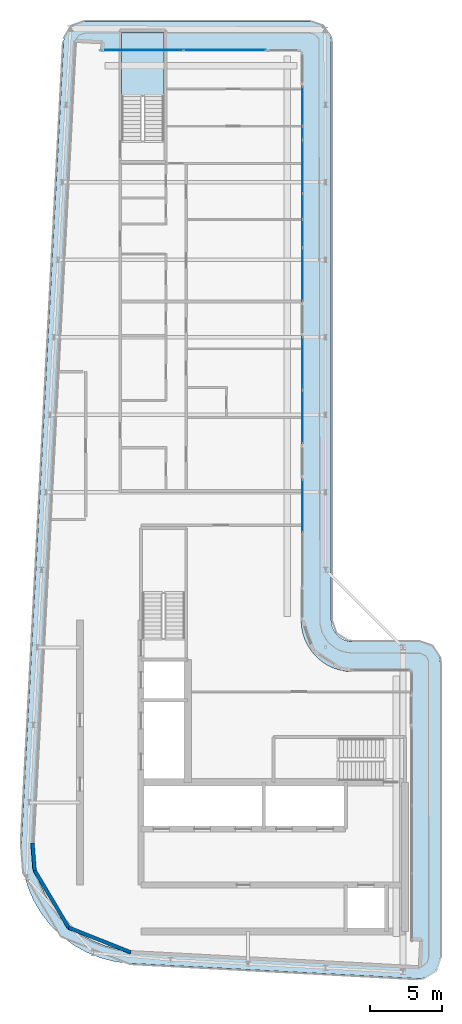
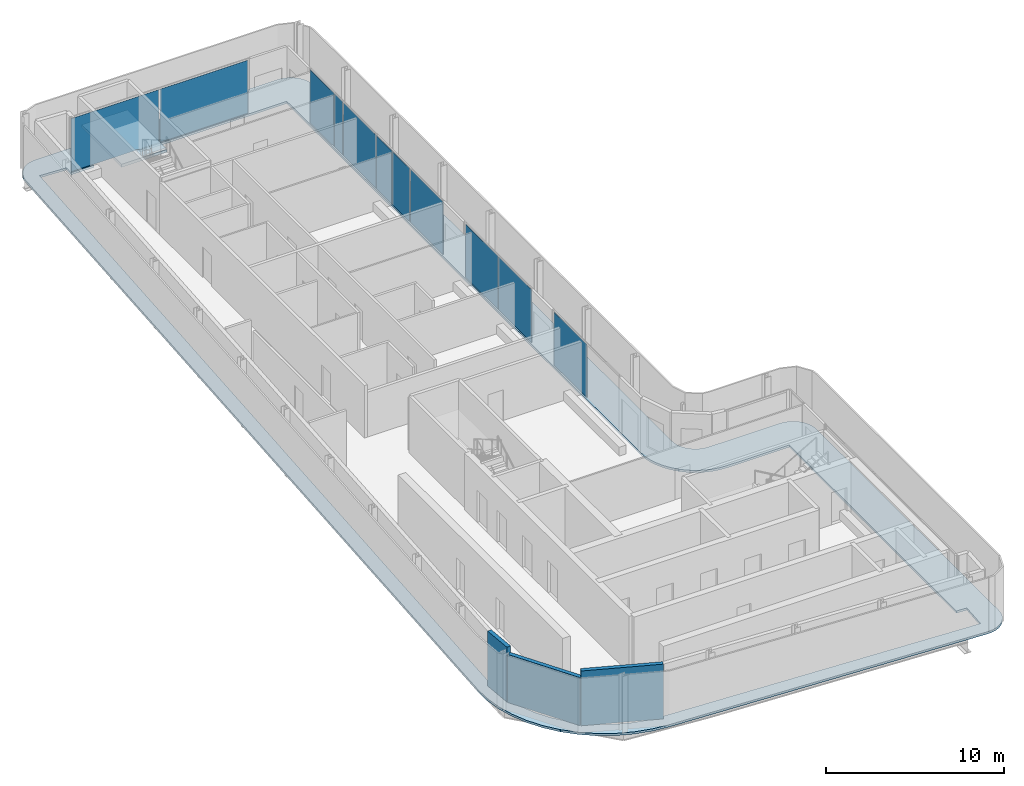
# One storey, part 8 of 17: 11 plates, 3 walls, 2 slabs, 6 elements without a shape of their own.
"""IFC4 building model written with IfcOpenShell, lengths in metres."""

import ifcopenshell
import ifcopenshell.guid

model = None  # the IFC model being written
_history = None  # IfcOwnerHistory: only IFC2X3 demands one
_inside = {}  # id of a spatial element -> (the spatial element, [elements in it])
_under = {}  # id of a project, library or spatial element -> (it, [spatial elements below it])
_declared = {}  # id of a project -> (the project, [libraries it declares])
_typed = {}  # id of a type object -> (the type object, [elements of that type])
_made_of = {}  # id of a material, layer set ... -> (it, [elements and type objects made of it])


def new_model(schema):
    """Start an empty IFC model of exactly this schema.

    Asked for "IFC4X3", IfcOpenShell would pick the latest addendum, in which some entities
    have other attributes; the version numbers below select the first issue.
    IFC2X3 requires an IfcOwnerHistory on every rooted entity: one is made here for all.
    """
    global model, _history
    if schema == "IFC4X3":
        model = ifcopenshell.file(schema_version=(4, 3, 0, 0))
    else:
        model = ifcopenshell.file(schema=schema)
    _inside.clear()
    _under.clear()
    _declared.clear()
    _typed.clear()
    _made_of.clear()
    _history = None
    if model.schema == "IFC2X3":
        org = make("IfcOrganization", Name="unknown")
        user = make(
            "IfcPersonAndOrganization",
            ThePerson=make("IfcPerson", FamilyName="unknown"),
            TheOrganization=org,
        )
        app = make(
            "IfcApplication",
            ApplicationDeveloper=org,
            Version="unknown",
            ApplicationFullName="unknown",
            ApplicationIdentifier="unknown",
        )
        _history = make(
            "IfcOwnerHistory",
            OwningUser=user,
            OwningApplication=app,
            ChangeAction="ADDED",
            CreationDate=0,
        )
    return model


def make(cls, **values):
    """One entity of the class cls with the attributes given. An attribute that is None is left unset."""
    return model.create_entity(
        cls, **{name: value for name, value in values.items() if value is not None}
    )


def rooted(cls, **values):
    """An entity with a GlobalId (a new one), such as an element, a storey or a relation."""
    return make(cls, GlobalId=ifcopenshell.guid.new(), OwnerHistory=_history, **values)


def si_unit(unit_type, name, prefix=None):
    """IfcSIUnit, for example si_unit("LENGTHUNIT", "METRE", prefix="MILLI")."""
    return make("IfcSIUnit", UnitType=unit_type, Prefix=prefix, Name=name)


def assignment(units):
    """IfcUnitAssignment: the units of a project."""
    return None if units is None else make("IfcUnitAssignment", Units=units)


def point(xyz):
    """IfcCartesianPoint."""
    return None if xyz is None else make("IfcCartesianPoint", Coordinates=xyz)


def direction(xyz):
    """IfcDirection."""
    return None if xyz is None else make("IfcDirection", DirectionRatios=xyz)


def frame(location, z_axis=None, x_axis=None):
    """IfcAxis2Placement3D, a coordinate frame: its origin and axes. An axis left out is left unset."""
    return make(
        "IfcAxis2Placement3D",
        Location=point(location),
        Axis=direction(z_axis),
        RefDirection=direction(x_axis),
    )


def frame_2d(location, x_axis=None):
    """IfcAxis2Placement2D, a coordinate frame in the plane: its origin and x axis."""
    return make(
        "IfcAxis2Placement2D", Location=point(location), RefDirection=direction(x_axis)
    )


def origin():
    """The frame at (0, 0, 0) with its axes left unset."""
    return frame((0.0, 0.0, 0.0))


def origin_2d():
    """The frame at (0, 0) in the plane with its x axis left unset."""
    return frame_2d((0.0, 0.0))


def place(relative_to, where):
    """IfcLocalPlacement: puts the frame where relative to a parent placement (None: the world)."""
    return make(
        "IfcLocalPlacement", PlacementRelTo=relative_to, RelativePlacement=where
    )


def context(
    kind, dimensions, precision=None, world=None, true_north=None, identifier=None
):
    """IfcGeometricRepresentationContext, for example the 3D "Model" context."""
    return make(
        "IfcGeometricRepresentationContext",
        ContextIdentifier=identifier,
        ContextType=kind,
        CoordinateSpaceDimension=dimensions,
        Precision=precision,
        WorldCoordinateSystem=world,
        TrueNorth=true_north,
    )


def subcontext(parent, identifier, kind, view, scale=None):
    """IfcGeometricRepresentationSubContext, for example "Body" below "Model"."""
    return make(
        "IfcGeometricRepresentationSubContext",
        ContextIdentifier=identifier,
        ContextType=kind,
        ParentContext=parent,
        TargetScale=scale,
        TargetView=view,
    )


def project(units=None, contexts=None):
    """IfcProject with its units and contexts."""
    return rooted(
        "IfcProject",
        Name="project",
        RepresentationContexts=contexts,
        UnitsInContext=assignment(units),
    )


def spatial(cls, under=None, at=None, **own):
    """A site, building, storey or space (cls), placed at a placement, below another one or the project."""
    s = rooted(cls, ObjectPlacement=at, **own)
    if under is not None:
        _under.setdefault(under.id(), (under, []))[1].append(s)
    return s


def polyline(points):
    """IfcPolyline through the points."""
    return make("IfcPolyline", Points=[point(p) for p in points])


def profile(cls, at=None, kind="AREA", **sizes):
    """A parametric profile (cls). Its sizes go by their IFC names, for example OverallWidth=200.0."""
    return make(cls, ProfileType=kind, Position=at, **sizes)


def rectangle(**sizes):
    """IfcRectangleProfileDef."""
    return profile("IfcRectangleProfileDef", **sizes)


def outline(outer, holes=None, kind="AREA"):
    """IfcArbitraryClosedProfileDef: a profile drawn as a closed curve; with holes, ...WithVoids."""
    if holes is None:
        return make("IfcArbitraryClosedProfileDef", ProfileType=kind, OuterCurve=outer)
    return make(
        "IfcArbitraryProfileDefWithVoids",
        ProfileType=kind,
        OuterCurve=outer,
        InnerCurves=holes,
    )


def extrude(swept, where, along, depth):
    """IfcExtrudedAreaSolid: the profile swept, set in the frame where, extruded along a direction by depth."""
    return make(
        "IfcExtrudedAreaSolid",
        SweptArea=swept,
        Position=where,
        ExtrudedDirection=direction(along),
        Depth=depth,
    )


def shape(context_of_items, identifier, shape_type, items):
    """IfcShapeRepresentation: the items that make up one representation, for example the "Body"."""
    return make(
        "IfcShapeRepresentation",
        ContextOfItems=context_of_items,
        RepresentationIdentifier=identifier,
        RepresentationType=shape_type,
        Items=items,
    )


def material(Name=None, Category=None):
    """IfcMaterial."""
    return make("IfcMaterial", Name=Name, Category=Category)


def layer(
    of_material, thickness, ventilated=None, Name=None, Category=None, Priority=None
):
    """IfcMaterialLayer: one layer of a wall or slab, of a material (None: an air gap)."""
    return make(
        "IfcMaterialLayer",
        Material=of_material,
        LayerThickness=thickness,
        IsVentilated=ventilated,
        Name=Name,
        Category=Category,
        Priority=Priority,
    )


def layer_set(layers, Name=None):
    """IfcMaterialLayerSet."""
    return make("IfcMaterialLayerSet", MaterialLayers=layers, LayerSetName=Name)


def made_of(thing, what):
    """Note that an element or type object is made of a material, layer set ...; save() writes the relation."""
    if what is not None:
        _made_of.setdefault(what.id(), (what, []))[1].append(thing)
    return thing


def type_object(cls, material=None, **own):
    """A type object (cls), such as IfcWallType, which elements share."""
    return made_of(rooted(cls, **own), material)


def element(
    cls,
    number,
    at=None,
    inside=None,
    cuts=None,
    type_object=None,
    material=None,
    context=None,
    identifier="Body",
    shape_type=None,
    held_by="IfcProductDefinitionShape",
    body=None,
    shapes=None,
    **own,
):
    """One element of the class cls, such as IfcWall. Its Tag is "e" and its number.

    at: its placement. inside: the storey or other place that contains it. cuts: it is an
    opening in that element (IfcRelVoidsElement). A single representation is given by context,
    identifier, shape_type and body (its items); several are given by shapes. held_by: the class
    of the entity that holds the representations. save() writes the other relations.
    """
    e = rooted(cls, Tag="e%d" % number, ObjectPlacement=at, **own)
    if body is not None:
        shapes = [shape(context, identifier, shape_type, body)]
    if shapes is not None:
        e.Representation = make(held_by, Representations=shapes)
    if inside is not None:
        _inside.setdefault(inside.id(), (inside, []))[1].append(e)
    if cuts is not None:
        rooted(
            "IfcRelVoidsElement", RelatingBuildingElement=cuts, RelatedOpeningElement=e
        )
    if type_object is not None:
        _typed.setdefault(type_object.id(), (type_object, []))[1].append(e)
    return made_of(e, material)


def aggregate(whole, parts):
    """IfcRelAggregates: a whole, such as a stair, and the parts it consists of."""
    return rooted("IfcRelAggregates", RelatingObject=whole, RelatedObjects=parts)


def save(model, path):
    """Write the relations noted so far, then the file.

    IfcRelAggregates (storeys below a building ...), IfcRelContainedInSpatialStructure (elements
    in a storey), IfcRelDefinesByType, IfcRelAssociatesMaterial and IfcRelDeclares: one each for
    every whole, place, type object, material and project.
    """
    for whole, parts in _under.values():
        aggregate(whole, parts)
    for where, things in _inside.values():
        rooted(
            "IfcRelContainedInSpatialStructure",
            RelatedElements=things,
            RelatingStructure=where,
        )
    for kind, things in _typed.values():
        rooted("IfcRelDefinesByType", RelatedObjects=things, RelatingType=kind)
    for what, things in _made_of.values():
        rooted("IfcRelAssociatesMaterial", RelatedObjects=things, RelatingMaterial=what)
    for by, libraries in _declared.values():
        rooted("IfcRelDeclares", RelatingContext=by, RelatedDefinitions=libraries)
    model.write(path)


model = new_model("IFC4")

# Units and contexts
model_context = context("Model", 3, precision=1e-05, world=origin(), true_north=direction((0.0, 1.0)))
body_context = subcontext(model_context, "Body", "Model", "MODEL_VIEW")
ifc_project = project(units=[si_unit("LENGTHUNIT", "METRE"), si_unit("AREAUNIT", "SQUARE_METRE"), si_unit("VOLUMEUNIT", "CUBIC_METRE"), si_unit("PLANEANGLEUNIT", "RADIAN"), si_unit("MASSUNIT", "GRAM", prefix="KILO")], contexts=[model_context])

# Site, building, storey
site_placement = place(None, origin())
site = spatial("IfcSite", under=ifc_project, at=site_placement, CompositionType="ELEMENT")
building_placement = place(site_placement, origin())
building = spatial("IfcBuilding", under=site, at=building_placement, Name="Kheshtan School and Residences Tower", CompositionType="ELEMENT")
storey_placement = place(building_placement, frame((0.0, 0.0, 342.199951171875)))
storey = spatial("IfcBuildingStorey", under=building, at=storey_placement, Name="L80", CompositionType="ELEMENT", Elevation=342.199951171875)

# Curtain wall, plates
ifc_material_1 = material(Name="Clear low-e glass in thermally broken aluminium frame", Category="aluminium")
ifc_layer_1 = layer(ifc_material_1, 0.199951171875)
ifc_layer_set_1 = layer_set([ifc_layer_1], Name="Curtain wall CW-L")
curtain_wall_type = type_object("IfcCurtainWallType", Name="Curtain wall CW-L", PredefinedType="NOTDEFINED", material=ifc_layer_set_1)
curtain_wall_1_placement = place(storey_placement, origin())
curtain_wall_1 = element("IfcCurtainWall", 1, at=curtain_wall_1_placement, inside=storey, type_object=curtain_wall_type, Name="Curtain wall CWL3", PredefinedType="NOTDEFINED")
ifc_layer_2 = layer(ifc_material_1, 0.031982421875)
ifc_layer_set_2 = layer_set([ifc_layer_2], Name="CW-L glass panel")
plate_type = type_object("IfcPlateType", Name="CW-L glass panel", PredefinedType="CURTAIN_PANEL", material=ifc_layer_set_2)
plate_1_placement = place(storey_placement, frame((34.8330078125, 87.199951171875, 0.0), z_axis=(0.0, 0.0, 1.0), x_axis=(1.0, 0.0, 0.0)))
plate_1 = element("IfcPlate", 2, at=plate_1_placement, type_object=plate_type, Name="CWL3 panel 1.1", PredefinedType="CURTAIN_PANEL", context=body_context, shape_type="SweptSolid", body=[
    extrude(rectangle(XDim=5.697998046875, YDim=0.031982421875, at=origin_2d()), origin(), (0.0, 0.0, 1.0), 3.6298828125),
])
plate_2_placement = place(storey_placement, frame((40.591064453125, 87.199951171875, 0.0), z_axis=(0.0, 0.0, 1.0), x_axis=(1.0, 0.0, 0.0)))
plate_2 = element("IfcPlate", 3, at=plate_2_placement, type_object=plate_type, Name="CWL3 panel 2.1", PredefinedType="CURTAIN_PANEL", context=body_context, shape_type="SweptSolid", body=[
    extrude(rectangle(XDim=5.697998046875, YDim=0.031982421875, at=origin_2d()), origin(), (0.0, 0.0, 1.0), 3.6298828125),
])
aggregate(curtain_wall_1, [plate_1, plate_2])

curtain_wall_2_placement = place(storey_placement, origin())
curtain_wall_2 = element("IfcCurtainWall", 4, at=curtain_wall_2_placement, inside=storey, type_object=curtain_wall_type, Name="Curtain wall CWL4", PredefinedType="NOTDEFINED")
plate_3_placement = place(storey_placement, frame((46.0, 83.284912109375, 0.0), z_axis=(0.0, 0.0, 1.0), x_axis=(0.0, -1.0, 0.0)))
plate_3 = element("IfcPlate", 5, at=plate_3_placement, type_object=plate_type, Name="CWL4 panel 1.1", PredefinedType="CURTAIN_PANEL", context=body_context, shape_type="SweptSolid", body=[
    extrude(rectangle(XDim=2.7099609375, YDim=0.031982421875, at=origin_2d()), origin(), (0.0, 0.0, 1.0), 3.6298828125),
])
plate_4_placement = place(storey_placement, frame((46.0, 81.420654296875, 0.0), z_axis=(0.0, 0.0, 1.0), x_axis=(0.0, -1.0, 0.0)))
plate_4 = element("IfcPlate", 6, at=plate_4_placement, type_object=plate_type, Name="CWL4 panel 2.1", PredefinedType="CURTAIN_PANEL", context=body_context, shape_type="SweptSolid", body=[
    extrude(rectangle(XDim=0.898681640625, YDim=0.031982421875, at=origin_2d()), origin(), (0.0, 0.0, 1.0), 3.6298828125),
])
plate_5_placement = place(storey_placement, frame((46.0, 79.076904296875, 0.0), z_axis=(0.0, 0.0, 1.0), x_axis=(0.0, -1.0, 0.0)))
plate_5 = element("IfcPlate", 7, at=plate_5_placement, type_object=plate_type, Name="CWL4 panel 3.1", PredefinedType="CURTAIN_PANEL", context=body_context, shape_type="SweptSolid", body=[
    extrude(rectangle(XDim=3.668701171875, YDim=0.031982421875, at=origin_2d()), origin(), (0.0, 0.0, 1.0), 3.6298828125),
])
aggregate(curtain_wall_2, [plate_3, plate_4, plate_5])

curtain_wall_3_placement = place(storey_placement, origin())
curtain_wall_3 = element("IfcCurtainWall", 8, at=curtain_wall_3_placement, inside=storey, type_object=curtain_wall_type, Name="Curtain wall CWL4", PredefinedType="NOTDEFINED")
plate_6_placement = place(storey_placement, frame((46.0, 76.30615234375, 0.0), z_axis=(0.0, 0.0, 1.0), x_axis=(0.0, -1.0, 0.0)))
plate_6 = element("IfcPlate", 9, at=plate_6_placement, type_object=plate_type, Name="CWL4 panel 1.1", PredefinedType="CURTAIN_PANEL", context=body_context, shape_type="SweptSolid", body=[
    extrude(rectangle(XDim=1.75244140625, YDim=0.031982421875, at=origin_2d()), origin(), (0.0, 0.0, 1.0), 3.6298828125),
])
plate_7_placement = place(storey_placement, frame((46.0, 74.411865234375, 0.0), z_axis=(0.0, 0.0, 1.0), x_axis=(0.0, -1.0, 0.0)))
plate_7 = element("IfcPlate", 10, at=plate_7_placement, type_object=plate_type, Name="CWL4 panel 2.1", PredefinedType="CURTAIN_PANEL", context=body_context, shape_type="SweptSolid", body=[
    extrude(rectangle(XDim=1.916259765625, YDim=0.031982421875, at=origin_2d()), origin(), (0.0, 0.0, 1.0), 3.6298828125),
])
plate_8_placement = place(storey_placement, frame((46.0, 71.559326171875, 0.0), z_axis=(0.0, 0.0, 1.0), x_axis=(0.0, -1.0, 0.0)))
plate_8 = element("IfcPlate", 11, at=plate_8_placement, type_object=plate_type, Name="CWL4 panel 3.1", PredefinedType="CURTAIN_PANEL", context=body_context, shape_type="SweptSolid", body=[
    extrude(rectangle(XDim=3.668701171875, YDim=0.031982421875, at=origin_2d()), origin(), (0.0, 0.0, 1.0), 3.6298828125),
])
aggregate(curtain_wall_3, [plate_6, plate_7, plate_8])

curtain_wall_4_placement = place(storey_placement, origin())
curtain_wall_4 = element("IfcCurtainWall", 12, at=curtain_wall_4_placement, inside=storey, type_object=curtain_wall_type, Name="Curtain wall CWL4a", PredefinedType="NOTDEFINED")
plate_9_placement = place(storey_placement, frame((46.0, 65.37060546875, 0.0), z_axis=(0.0, 0.0, 1.0), x_axis=(0.0, -1.0, 0.0)))
plate_9 = element("IfcPlate", 13, at=plate_9_placement, type_object=plate_type, Name="CWL4a panel 1.1", PredefinedType="CURTAIN_PANEL", context=body_context, shape_type="SweptSolid", body=[
    extrude(rectangle(XDim=3.668701171875, YDim=0.031982421875, at=origin_2d()), origin(), (0.0, 0.0, 1.0), 3.6298828125),
])
plate_10_placement = place(storey_placement, frame((46.0, 61.641845703125, 0.0), z_axis=(0.0, 0.0, 1.0), x_axis=(0.0, -1.0, 0.0)))
plate_10 = element("IfcPlate", 14, at=plate_10_placement, type_object=plate_type, Name="CWL4a panel 2.1", PredefinedType="CURTAIN_PANEL", context=body_context, shape_type="SweptSolid", body=[
    extrude(rectangle(XDim=3.668701171875, YDim=0.031982421875, at=origin_2d()), origin(), (0.0, 0.0, 1.0), 3.6298828125),
])
aggregate(curtain_wall_4, [plate_9, plate_10])

# Curtain wall, plate
curtain_wall_5_placement = place(storey_placement, origin())
curtain_wall_5 = element("IfcCurtainWall", 15, at=curtain_wall_5_placement, inside=storey, type_object=curtain_wall_type, Name="Curtain wall CWL4a", PredefinedType="NOTDEFINED")
plate_11_placement = place(storey_placement, frame((46.0, 55.453125, 0.0), z_axis=(0.0, 0.0, 1.0), x_axis=(0.0, -1.0, 0.0)))
plate_11 = element("IfcPlate", 16, at=plate_11_placement, type_object=plate_type, Name="CWL4a panel 1.1", PredefinedType="CURTAIN_PANEL", context=body_context, shape_type="SweptSolid", body=[
    extrude(rectangle(XDim=3.668701171875, YDim=0.031982421875, at=origin_2d()), origin(), (0.0, 0.0, 1.0), 3.6298828125),
])
aggregate(curtain_wall_5, [plate_11])

# Slab
ifc_material_2 = material(Name="Concrete C40/50", Category="concrete")
ifc_layer_3 = layer(ifc_material_2, 0.14990234375)
ifc_layer_set_3 = layer_set([ifc_layer_3], Name="Loggia balcony slab 150 Concrete C40/50")
slab_type_1 = type_object("IfcSlabType", Name="Loggia balcony slab 150 Concrete C40/50", PredefinedType="FLOOR", material=ifc_layer_set_3)
slab_1_placement = place(storey_placement, frame((0.0, 0.0, -0.14990234375)))
element("IfcSlab", 17, at=slab_1_placement, inside=storey, type_object=slab_type_1, Name="Loggia balcony slab L80", PredefinedType="FLOOR", context=body_context, shape_type="SweptSolid", body=[
    extrude(outline(polyline([(28.4580078125, 26.222900390625), (28.45703125, 26.222900390625), (28.45703125, 26.22412109375), (28.4560546875, 26.22412109375), (27.81494140625, 27.0390625), (27.281005859375, 27.93798828125), (26.867919921875, 28.89990234375), (26.583984375, 29.89990234375), (26.583984375, 29.906982421875), (26.43408203125, 30.943115234375), (26.419921875, 31.989013671875), (29.35693359375, 87.779052734375), (29.363037109375, 87.826904296875), (29.363037109375, 87.827880859375), (29.362060546875, 87.827880859375), (29.362060546875, 87.8291015625), (29.361083984375, 87.8291015625), (29.361083984375, 87.830078125), (29.360107421875, 87.830078125), (29.360107421875, 87.8310546875), (29.35888671875, 87.8310546875), (29.35888671875, 87.83203125), (29.35888671875, 87.8330078125), (29.376953125, 87.98095703125), (29.376953125, 87.98388671875), (29.376953125, 87.985107421875), (29.3779296875, 87.985107421875), (29.3779296875, 87.986083984375), (29.37890625, 87.986083984375), (29.37890625, 87.987060546875), (29.3798828125, 87.987060546875), (29.381103515625, 87.987060546875), (29.381103515625, 87.988037109375), (29.382080078125, 87.988037109375), (29.382080078125, 87.989013671875), (29.382080078125, 87.990966796875), (29.43505859375, 88.18408203125), (29.514892578125, 88.375), (29.62109375, 88.552978515625), (29.742919921875, 88.70703125), (29.743896484375, 88.70703125), (29.743896484375, 88.7080078125), (29.7451171875, 88.7080078125), (29.7451171875, 88.708984375), (29.74609375, 88.708984375), (29.74609375, 88.7099609375), (29.7470703125, 88.7099609375), (29.7470703125, 88.7109375), (29.748046875, 88.7109375), (29.748046875, 88.7119140625), (29.7490234375, 88.7119140625), (29.7490234375, 88.712890625), (29.75, 88.712890625), (29.751953125, 88.712890625), (29.7529296875, 88.712890625), (29.7529296875, 88.714111328125), (29.89990234375, 88.85693359375), (29.90087890625, 88.85693359375), (29.90087890625, 88.85791015625), (29.902099609375, 88.85791015625), (29.902099609375, 88.85888671875), (29.903076171875, 88.85888671875), (29.903076171875, 88.860107421875), (29.904052734375, 88.860107421875), (29.904052734375, 88.861083984375), (29.905029296875, 88.861083984375), (29.905029296875, 88.862060546875), (29.906005859375, 88.862060546875), (29.906005859375, 88.863037109375), (29.906982421875, 88.863037109375), (29.906982421875, 88.864013671875), (30.068115234375, 88.97705078125), (30.2509765625, 89.072998046875), (30.43896484375, 89.14306640625), (30.446044921875, 89.14306640625), (30.64794921875, 89.18603515625), (30.85498046875, 89.199951171875), (46.5, 89.199951171875), (46.696044921875, 89.18701171875), (46.887939453125, 89.14892578125), (46.89501953125, 89.14892578125), (47.073974609375, 89.0859375), (47.242919921875, 89.0009765625), (47.243896484375, 89.0009765625), (47.2470703125, 89.0009765625), (47.248046875, 89.0009765625), (47.248046875, 89.001953125), (47.2490234375, 89.001953125), (47.2490234375, 89.0029296875), (47.25, 89.0029296875), (47.2529296875, 89.0029296875), (47.25390625, 89.0029296875), (47.25390625, 89.001953125), (47.2548828125, 89.001953125), (47.2548828125, 89.0009765625), (47.256103515625, 89.0009765625), (47.256103515625, 89.0), (47.257080078125, 89.0), (47.257080078125, 88.9990234375), (47.258056640625, 88.9990234375), (47.258056640625, 88.998046875), (47.412109375, 88.89599609375), (47.4130859375, 88.89599609375), (47.4130859375, 88.89501953125), (47.4140625, 88.89501953125), (47.4140625, 88.89404296875), (47.4140625, 88.889892578125), (47.4140625, 88.888916015625), (47.4150390625, 88.888916015625), (47.4150390625, 88.887939453125), (47.416015625, 88.887939453125), (47.416015625, 88.886962890625), (47.4169921875, 88.886962890625), (47.4169921875, 88.885986328125), (47.554931640625, 88.76806640625), (47.554931640625, 88.76708984375), (47.555908203125, 88.76708984375), (47.555908203125, 88.76611328125), (47.556884765625, 88.76611328125), (47.556884765625, 88.764892578125), (47.55810546875, 88.764892578125), (47.55810546875, 88.763916015625), (47.55908203125, 88.763916015625), (47.55908203125, 88.762939453125), (47.56005859375, 88.762939453125), (47.56005859375, 88.761962890625), (47.56103515625, 88.761962890625), (47.56201171875, 88.760986328125), (47.56201171875, 88.760009765625), (47.56298828125, 88.760009765625), (47.56298828125, 88.759033203125), (47.56396484375, 88.759033203125), (47.56396484375, 88.758056640625), (47.56494140625, 88.758056640625), (47.56494140625, 88.757080078125), (47.56591796875, 88.757080078125), (47.56591796875, 88.756103515625), (47.56689453125, 88.756103515625), (47.56689453125, 88.7548828125), (47.568115234375, 88.7548828125), (47.68505859375, 88.617919921875), (47.68603515625, 88.617919921875), (47.68603515625, 88.616943359375), (47.68701171875, 88.616943359375), (47.68701171875, 88.615966796875), (47.68798828125, 88.615966796875), (47.68798828125, 88.614990234375), (47.68896484375, 88.614990234375), (47.68896484375, 88.614013671875), (47.68994140625, 88.614013671875), (47.694091796875, 88.614013671875), (47.695068359375, 88.614013671875), (47.695068359375, 88.613037109375), (47.696044921875, 88.613037109375), (47.696044921875, 88.612060546875), (47.797119140625, 88.458984375), (47.798095703125, 88.458984375), (47.798095703125, 88.4580078125), (47.799072265625, 88.4580078125), (47.799072265625, 88.45703125), (47.800048828125, 88.45703125), (47.800048828125, 88.4560546875), (47.801025390625, 88.4560546875), (47.801025390625, 88.455078125), (47.802001953125, 88.455078125), (47.802001953125, 88.4541015625), (47.802978515625, 88.4541015625), (47.802978515625, 88.452880859375), (47.802978515625, 88.449951171875), (47.802978515625, 88.448974609375), (47.802001953125, 88.448974609375), (47.802001953125, 88.447998046875), (47.801025390625, 88.447998046875), (47.801025390625, 88.447021484375), (47.801025390625, 88.444091796875), (47.801025390625, 88.443115234375), (47.885986328125, 88.27392578125), (47.948974609375, 88.094970703125), (47.948974609375, 88.087890625), (47.987060546875, 87.89599609375), (48.0, 87.699951171875), (48.0, 47.5), (48.012939453125, 47.303955078125), (48.051025390625, 47.113037109375), (48.051025390625, 47.10693359375), (48.051025390625, 47.10595703125), (48.114013671875, 46.926025390625), (48.200927734375, 46.75), (48.31005859375, 46.5869140625), (48.431884765625, 46.444091796875), (48.43310546875, 46.444091796875), (48.43310546875, 46.443115234375), (48.43408203125, 46.443115234375), (48.43408203125, 46.44189453125), (48.43505859375, 46.44189453125), (48.43505859375, 46.44091796875), (48.43603515625, 46.44091796875), (48.43603515625, 46.43994140625), (48.43701171875, 46.43994140625), (48.43701171875, 46.43896484375), (48.43798828125, 46.43896484375), (48.43896484375, 46.43798828125), (48.43896484375, 46.43701171875), (48.43994140625, 46.43701171875), (48.43994140625, 46.43603515625), (48.44091796875, 46.43603515625), (48.44091796875, 46.43505859375), (48.44189453125, 46.43505859375), (48.44189453125, 46.43408203125), (48.443115234375, 46.43408203125), (48.443115234375, 46.43310546875), (48.444091796875, 46.43310546875), (48.444091796875, 46.431884765625), (48.5869140625, 46.31005859375), (48.75, 46.200927734375), (48.926025390625, 46.114013671875), (49.10595703125, 46.051025390625), (49.10693359375, 46.051025390625), (49.113037109375, 46.051025390625), (49.303955078125, 46.012939453125), (49.5, 46.0), (54.10009765625, 46.0), (54.2958984375, 45.987060546875), (54.488037109375, 45.948974609375), (54.4951171875, 45.948974609375), (54.674072265625, 45.885986328125), (54.842041015625, 45.801025390625), (54.843017578125, 45.801025390625), (54.846923828125, 45.801025390625), (54.847900390625, 45.801025390625), (54.847900390625, 45.802001953125), (54.84912109375, 45.802001953125), (54.84912109375, 45.802978515625), (54.85009765625, 45.802978515625), (54.85302734375, 45.802978515625), (54.85400390625, 45.802978515625), (54.85400390625, 45.802001953125), (54.85498046875, 45.802001953125), (54.85498046875, 45.801025390625), (54.85595703125, 45.801025390625), (54.85595703125, 45.800048828125), (54.85693359375, 45.800048828125), (54.85693359375, 45.799072265625), (54.85791015625, 45.799072265625), (54.85791015625, 45.798095703125), (54.85888671875, 45.798095703125), (54.85888671875, 45.797119140625), (54.860107421875, 45.797119140625), (54.860107421875, 45.7958984375), (55.011962890625, 45.696044921875), (55.012939453125, 45.696044921875), (55.012939453125, 45.695068359375), (55.013916015625, 45.695068359375), (55.013916015625, 45.694091796875), (55.013916015625, 45.68994140625), (55.013916015625, 45.68896484375), (55.014892578125, 45.68896484375), (55.014892578125, 45.68798828125), (55.01611328125, 45.68798828125), (55.01611328125, 45.68701171875), (55.01708984375, 45.68701171875), (55.01708984375, 45.68603515625), (55.01806640625, 45.68603515625), (55.01806640625, 45.68505859375), (55.01904296875, 45.68505859375), (55.01904296875, 45.68408203125), (55.155029296875, 45.568115234375), (55.155029296875, 45.56689453125), (55.156005859375, 45.56689453125), (55.156005859375, 45.56591796875), (55.156982421875, 45.56591796875), (55.156982421875, 45.56494140625), (55.157958984375, 45.56494140625), (55.157958984375, 45.56396484375), (55.158935546875, 45.56396484375), (55.158935546875, 45.56298828125), (55.159912109375, 45.56298828125), (55.159912109375, 45.56201171875), (55.160888671875, 45.56201171875), (55.162109375, 45.56103515625), (55.162109375, 45.56005859375), (55.1630859375, 45.56005859375), (55.1630859375, 45.55908203125), (55.1640625, 45.55908203125), (55.1640625, 45.55810546875), (55.1650390625, 45.55810546875), (55.1650390625, 45.556884765625), (55.166015625, 45.556884765625), (55.166015625, 45.555908203125), (55.1669921875, 45.555908203125), (55.1669921875, 45.554931640625), (55.16796875, 45.554931640625), (55.281982421875, 45.4208984375), (55.282958984375, 45.4208984375), (55.282958984375, 45.419921875), (55.283935546875, 45.419921875), (55.283935546875, 45.4189453125), (55.284912109375, 45.4189453125), (55.284912109375, 45.41796875), (55.285888671875, 45.41796875), (55.285888671875, 45.4169921875), (55.287109375, 45.4169921875), (55.287109375, 45.416015625), (55.2880859375, 45.416015625), (55.2880859375, 45.4150390625), (55.2890625, 45.4150390625), (55.2890625, 45.4140625), (55.2900390625, 45.4140625), (55.2939453125, 45.4140625), (55.294921875, 45.4140625), (55.294921875, 45.4130859375), (55.2958984375, 45.4130859375), (55.2958984375, 45.412109375), (55.39404296875, 45.261962890625), (55.39501953125, 45.261962890625), (55.39501953125, 45.260986328125), (55.39599609375, 45.260986328125), (55.39599609375, 45.260009765625), (55.39697265625, 45.260009765625), (55.39697265625, 45.259033203125), (55.39794921875, 45.259033203125), (55.39794921875, 45.258056640625), (55.39892578125, 45.258056640625), (55.39892578125, 45.257080078125), (55.39990234375, 45.257080078125), (55.39990234375, 45.256103515625), (55.40087890625, 45.256103515625), (55.40087890625, 45.2548828125), (55.402099609375, 45.2548828125), (55.402099609375, 45.25390625), (55.403076171875, 45.25390625), (55.403076171875, 45.2529296875), (55.403076171875, 45.25), (55.403076171875, 45.2490234375), (55.402099609375, 45.2490234375), (55.402099609375, 45.248046875), (55.40087890625, 45.248046875), (55.40087890625, 45.2470703125), (55.40087890625, 45.240966796875), (55.40087890625, 45.239990234375), (55.486083984375, 45.073974609375), (55.549072265625, 44.89501953125), (55.549072265625, 44.887939453125), (55.5869140625, 44.696044921875), (55.60009765625, 44.5), (55.60009765625, 24.02294921875), (55.5859375, 23.821044921875), (55.544921875, 23.6220703125), (55.544921875, 23.614990234375), (55.47802734375, 23.430908203125), (55.385986328125, 23.25), (55.27099609375, 23.0849609375), (55.27099609375, 23.083984375), (55.27099609375, 23.0830078125), (55.27099609375, 23.08203125), (55.27197265625, 23.08203125), (55.27197265625, 23.0810546875), (55.27197265625, 23.0791015625), (55.27197265625, 23.077880859375), (55.27099609375, 23.077880859375), (55.27099609375, 23.076904296875), (55.137939453125, 22.93408203125), (55.135009765625, 22.930908203125), (55.134033203125, 22.930908203125), (55.134033203125, 22.929931640625), (55.133056640625, 22.929931640625), (55.131103515625, 22.929931640625), (55.1298828125, 22.929931640625), (55.1298828125, 22.930908203125), (55.12890625, 22.930908203125), (55.1279296875, 22.930908203125), (55.126953125, 22.930908203125), (54.97607421875, 22.805908203125), (54.803955078125, 22.698974609375), (54.618896484375, 22.615966796875), (54.430908203125, 22.55908203125), (54.424072265625, 22.55908203125), (54.22412109375, 22.528076171875), (54.02099609375, 22.52490234375), (33.989013671875, 23.580078125), (33.94189453125, 23.5859375), (33.94091796875, 23.5859375), (33.93994140625, 23.5859375), (33.93994140625, 23.5849609375), (33.93896484375, 23.5849609375), (33.93896484375, 23.583984375), (33.93798828125, 23.583984375), (33.93798828125, 23.5830078125), (33.93701171875, 23.5830078125), (33.93701171875, 23.58203125), (33.93603515625, 23.58203125), (33.93505859375, 23.58203125), (32.952880859375, 23.697998046875), (32.949951171875, 23.697998046875), (32.948974609375, 23.697998046875), (32.948974609375, 23.698974609375), (32.947998046875, 23.698974609375), (32.947998046875, 23.699951171875), (32.947021484375, 23.699951171875), (32.947021484375, 23.700927734375), (32.947021484375, 23.702880859375), (32.947021484375, 23.7041015625), (32.946044921875, 23.7041015625), (32.946044921875, 23.705078125), (32.945068359375, 23.705078125), (32.944091796875, 23.705078125), (31.93603515625, 23.9609375), (31.928955078125, 23.9609375), (30.964111328125, 24.34912109375), (30.051025390625, 24.860107421875), (29.218994140625, 25.47900390625), (29.218994140625, 25.47998046875), (29.218017578125, 25.47998046875), (29.218017578125, 25.48095703125), (29.217041015625, 25.48095703125), (29.217041015625, 25.48193359375), (29.216064453125, 25.48193359375), (29.216064453125, 25.48291015625), (29.215087890625, 25.48291015625), (29.215087890625, 25.48388671875), (29.214111328125, 25.48388671875), (29.214111328125, 25.485107421875), (29.212890625, 25.485107421875), (29.212890625, 25.486083984375), (29.2119140625, 25.486083984375), (28.466064453125, 26.217041015625), (28.466064453125, 26.218017578125), (28.465087890625, 26.218017578125), (28.462890625, 26.218017578125), (28.4619140625, 26.218017578125), (28.4619140625, 26.218994140625), (28.4609375, 26.218994140625), (28.4609375, 26.219970703125), (28.4599609375, 26.219970703125), (28.4599609375, 26.220947265625), (28.458984375, 26.220947265625), (28.458984375, 26.221923828125), (28.4580078125, 26.221923828125), (28.4580078125, 26.222900390625)]), holes=[polyline([(27.466064453125, 30.0869140625), (27.718017578125, 29.200927734375), (28.0849609375, 28.345947265625), (28.55908203125, 27.550048828125), (29.126953125, 26.825927734375), (29.1279296875, 26.825927734375), (29.1279296875, 26.824951171875), (29.12890625, 26.824951171875), (29.12890625, 26.823974609375), (29.1298828125, 26.823974609375), (29.1298828125, 26.822998046875), (29.131103515625, 26.822998046875), (29.131103515625, 26.822021484375), (29.132080078125, 26.822021484375), (29.132080078125, 26.821044921875), (29.133056640625, 26.821044921875), (29.133056640625, 26.820068359375), (29.134033203125, 26.820068359375), (29.794921875, 26.173095703125), (29.794921875, 26.172119140625), (29.7958984375, 26.172119140625), (29.798095703125, 26.172119140625), (29.799072265625, 26.172119140625), (29.799072265625, 26.1708984375), (29.800048828125, 26.1708984375), (29.800048828125, 26.169921875), (29.801025390625, 26.169921875), (29.801025390625, 26.1689453125), (29.802001953125, 26.1689453125), (29.802001953125, 26.16796875), (29.802978515625, 26.16796875), (29.802978515625, 26.1669921875), (29.803955078125, 26.1669921875), (29.803955078125, 26.166015625), (30.541015625, 25.616943359375), (31.35205078125, 25.1630859375), (32.208984375, 24.819091796875), (32.2099609375, 24.819091796875), (32.216064453125, 24.819091796875), (33.114990234375, 24.590087890625), (34.06591796875, 24.47705078125), (54.0380859375, 23.425048828125), (54.06494140625, 23.426025390625), (54.06591796875, 23.426025390625), (54.06689453125, 23.426025390625), (54.06689453125, 23.427001953125), (54.068115234375, 23.427001953125), (54.068115234375, 23.427978515625), (54.068115234375, 23.428955078125), (54.157958984375, 25.117919921875), (54.157958984375, 25.118896484375), (54.157958984375, 25.1201171875), (54.156982421875, 25.1201171875), (54.156982421875, 25.12109375), (54.156005859375, 25.12109375), (54.155029296875, 25.12109375), (53.5009765625, 25.156005859375), (53.5, 25.156005859375), (53.5, 25.156982421875), (53.5, 43.89794921875), (53.5, 43.89892578125), (53.4990234375, 43.89892578125), (53.4990234375, 43.89990234375), (53.498046875, 43.89990234375), (49.429931640625, 43.89990234375), (49.030029296875, 43.927001953125), (48.569091796875, 44.01806640625), (48.56201171875, 44.01806640625), (48.1201171875, 44.169921875), (47.697021484375, 44.37890625), (47.30810546875, 44.638916015625), (46.95703125, 44.944091796875), (46.95703125, 44.945068359375), (46.9560546875, 44.945068359375), (46.9560546875, 44.946044921875), (46.955078125, 44.946044921875), (46.955078125, 44.947021484375), (46.9541015625, 44.947021484375), (46.9541015625, 44.947998046875), (46.952880859375, 44.947998046875), (46.952880859375, 44.948974609375), (46.951904296875, 44.948974609375), (46.951904296875, 44.949951171875), (46.951904296875, 44.950927734375), (46.950927734375, 44.950927734375), (46.950927734375, 44.951904296875), (46.949951171875, 44.951904296875), (46.948974609375, 44.951904296875), (46.948974609375, 44.952880859375), (46.947998046875, 44.952880859375), (46.947998046875, 44.9541015625), (46.947021484375, 44.9541015625), (46.947021484375, 44.955078125), (46.946044921875, 44.955078125), (46.946044921875, 44.9560546875), (46.945068359375, 44.9560546875), (46.945068359375, 44.95703125), (46.944091796875, 44.95703125), (46.638916015625, 45.30810546875), (46.37890625, 45.697021484375), (46.169921875, 46.1201171875), (46.01806640625, 46.56201171875), (46.01806640625, 46.569091796875), (45.927001953125, 47.030029296875), (45.89990234375, 47.429931640625), (45.89990234375, 87.097900390625), (45.89990234375, 87.09912109375), (45.89892578125, 87.09912109375), (45.89892578125, 87.10009765625), (45.89794921875, 87.10009765625), (36.35009765625, 87.10009765625), (36.35009765625, 88.4599609375), (33.39990234375, 88.4599609375), (33.39990234375, 87.10009765625), (31.925048828125, 87.10009765625), (31.924072265625, 87.10009765625), (31.952880859375, 87.638916015625), (31.952880859375, 87.639892578125), (31.952880859375, 87.64111328125), (31.951904296875, 87.64111328125), (31.951904296875, 87.64208984375), (31.950927734375, 87.64208984375), (31.949951171875, 87.64208984375), (30.260986328125, 87.73193359375), (30.260009765625, 87.73193359375), (30.259033203125, 87.73193359375), (30.259033203125, 87.73095703125), (30.258056640625, 87.73095703125), (30.258056640625, 87.72998046875), (30.258056640625, 87.72900390625), (30.25390625, 87.700927734375), (27.320068359375, 31.970947265625), (27.3330078125, 31.013916015625), (27.466064453125, 30.093994140625), (27.466064453125, 30.087890625), (27.466064453125, 30.0869140625)])]), origin(), (0.0, 0.0, 1.0), 0.14990234375),
])

# Stair, slab
stair_type = type_object("IfcStairType", Name="Exit stair, half-turn", PredefinedType="HALF_TURN_STAIR", material=ifc_material_2)
stair_placement = place(storey_placement, origin())
stair = element("IfcStair", 18, at=stair_placement, inside=storey, type_object=stair_type, Name="L80 Protected Exit Stair ST3", PredefinedType="HALF_TURN_STAIR")
ifc_layer_4 = layer(ifc_material_2, 0.199951171875)
ifc_layer_set_4 = layer_set([ifc_layer_4], Name="Stair landing 200 Concrete C40/50")
slab_type_2 = type_object("IfcSlabType", Name="Stair landing 200 Concrete C40/50", PredefinedType="LANDING", material=ifc_layer_set_4)
slab_2_placement = place(storey_placement, frame((0.0, 0.0, 1.75)))
slab_2 = element("IfcSlab", 19, at=slab_2_placement, type_object=slab_type_2, Name="ST3 landing 1", PredefinedType="LANDING", context=body_context, shape_type="SweptSolid", body=[
    extrude(outline(polyline([(36.35009765625, 83.97998046875), (36.35009765625, 88.4599609375), (33.39990234375, 88.4599609375), (33.39990234375, 83.97998046875), (36.35009765625, 83.97998046875)])), origin(), (0.0, 0.0, 1.0), 0.199951171875),
])
aggregate(stair, [slab_2])

# Walls
ifc_material_3 = material(Name="Concrete C40/50 with ceramic cladding and mineral wool insulation", Category="concrete")
ifc_layer_5 = layer(ifc_material_3, 0.25)
ifc_layer_set_5 = layer_set([ifc_layer_5], Name="External wall 250 ceramic clad")
wall_type = type_object("IfcWallType", Name="External wall 250 ceramic clad", PredefinedType="SOLIDWALL", material=ifc_layer_set_5)
wall_1_placement = place(storey_placement, frame((34.0390625, 24.35302734375, 0.0), z_axis=(0.0, 0.0, 1.0), x_axis=(-0.929352825399, 0.369192803184, 0.0)))
element("IfcWall", 20, at=wall_1_placement, inside=storey, type_object=wall_type, Name="External wall L80 13", PredefinedType="SOLIDWALL", context=body_context, shape_type="SweptSolid", body=[
    extrude(rectangle(XDim=4.656005859375, YDim=0.25, at=frame_2d((2.328125, 0.0))), origin(), (0.0, 0.0, 1.0), 3.75),
])
wall_2_placement = place(storey_placement, frame((29.7119140625, 26.072021484375, 0.0), z_axis=(0.0, 0.0, 1.0), x_axis=(-0.511028049012, 0.859564036662, 0.0)))
element("IfcWall", 21, at=wall_2_placement, inside=storey, type_object=wall_type, Name="External wall L80 14", PredefinedType="SOLIDWALL", context=body_context, shape_type="SweptSolid", body=[
    extrude(rectangle(XDim=4.633544921875, YDim=0.25, at=frame_2d((2.31689453125, 0.0))), origin(), (0.0, 0.0, 1.0), 3.29296875),
])
wall_3_placement = place(storey_placement, frame((27.343994140625, 30.054931640625, 0.0), z_axis=(0.0, 0.0, 1.0), x_axis=(-0.077571675317, 0.99698677784, 0.0)))
element("IfcWall", 22, at=wall_3_placement, inside=storey, type_object=wall_type, Name="External wall L80 15", PredefinedType="SOLIDWALL", context=body_context, shape_type="SweptSolid", body=[
    extrude(rectangle(XDim=1.919921875, YDim=0.25, at=frame_2d((0.9599609375, 0.0))), origin(), (0.0, 0.0, 1.0), 3.75),
])

save(model, "model.ifc")
